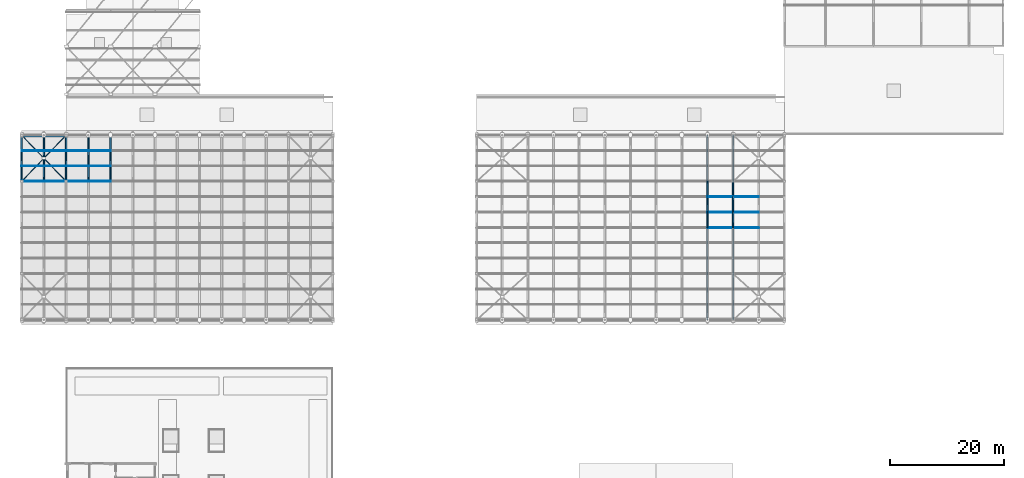
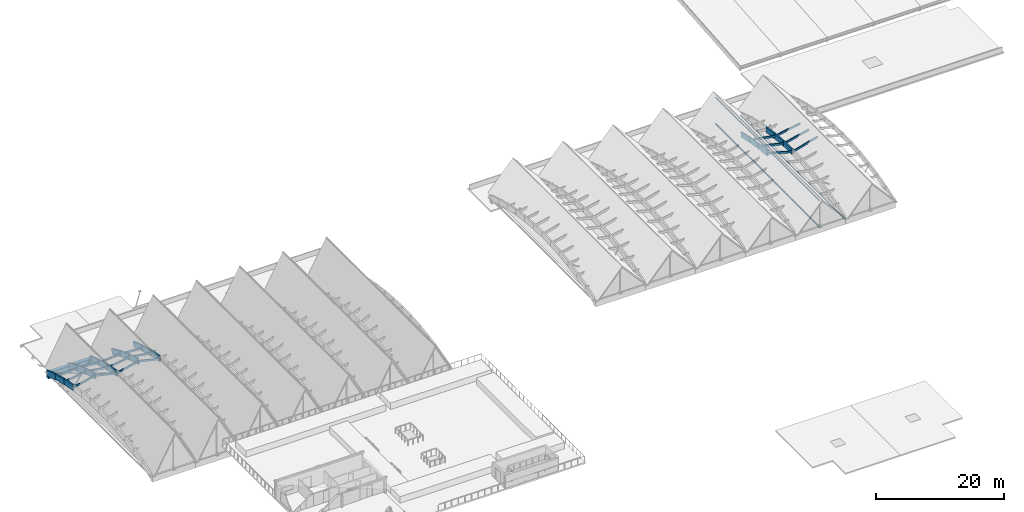
# One storey, part 17 of 39: 45 members, 1 beam.
"""IFC4 building model written with IfcOpenShell, lengths in metres."""

from ifc_helpers import new_model, si_unit, direction, frame, origin, origin_2d, place, context, subcontext, project, spatial, rectangle, hollow_circle, extrude, material, material_profile, profile_set, type_object, element, save


model = new_model("IFC4")

# Units and contexts
model_context = context("Model", 3, precision=1e-05, world=origin(), true_north=direction((0.0, 1.0)))
body_context = subcontext(model_context, "Body", "Model", "MODEL_VIEW")
ifc_project = project(units=[si_unit("LENGTHUNIT", "METRE"), si_unit("AREAUNIT", "SQUARE_METRE"), si_unit("VOLUMEUNIT", "CUBIC_METRE"), si_unit("PLANEANGLEUNIT", "RADIAN"), si_unit("MASSUNIT", "GRAM", prefix="KILO")], contexts=[model_context])

# Site, building, storey
site_placement = place(None, origin())
site = spatial("IfcSite", under=ifc_project, at=site_placement, CompositionType="ELEMENT")
building_placement = place(site_placement, origin())
building = spatial("IfcBuilding", under=site, at=building_placement, Name="Tizgana Railside Sports Hall", CompositionType="ELEMENT")
storey_placement = place(building_placement, frame((0.0, 0.0, 23.699951171875)))
storey = spatial("IfcBuildingStorey", under=building, at=storey_placement, Name="RF", CompositionType="ELEMENT", Elevation=23.699951171875)

# Beam
ifc_material_1 = material(Name="Concrete C40/50", Category="concrete")
ifc_material_profile_1 = material_profile(ifc_material_1, rectangle(XDim=0.60009765625, YDim=1.14990234375, at=origin_2d()), Name="RCB 600x1150")
ifc_profile_set_1 = profile_set([ifc_material_profile_1], Name="Concrete C40/50")
beam_type = type_object("IfcBeamType", Name="Concrete Beam RCB 600x1150", PredefinedType="BEAM", material=ifc_profile_set_1)
beam_placement = place(storey_placement, frame((0.0, 73.199951171875, -8.675048828125), z_axis=(1.0, 0.0, 0.0), x_axis=(0.0, 1.0, 0.0)))
element("IfcBeam", 1, at=beam_placement, inside=storey, type_object=beam_type, Name="RF BEM-1217", PredefinedType="BEAM", context=body_context, shape_type="SweptSolid", body=[
    extrude(rectangle(XDim=0.60009765625, YDim=1.14990234375, at=origin_2d()), origin(), (0.0, 0.0, 1.0), 7.800048828125),
])

# Members
ifc_material_2 = material(Name="Glulam GL32h", Category="wood")
ifc_material_profile_2 = material_profile(ifc_material_2, rectangle(XDim=0.260009765625, YDim=0.97998046875, at=origin_2d()), Name="GL 260x980")
ifc_profile_set_2 = profile_set([ifc_material_profile_2], Name="Glulam GL32h")
member_type_1 = type_object("IfcMemberType", Name="Glulam Arch Segment GL 260x980", PredefinedType="USERDEFINED", material=ifc_profile_set_2)
member_1_placement = place(storey_placement, frame((120.300048828125, 57.0, 1.241455078125), z_axis=(0.0, 0.994336672512, -0.106275969519), x_axis=(-1.0, 0.0, 0.0)))
element("IfcMember", 2, at=member_1_placement, inside=storey, type_object=member_type_1, Name="RF V2 Arch Chord MEM-0529", ObjectType="ARCH_SEGMENT", PredefinedType="USERDEFINED", context=body_context, shape_type="SweptSolid", body=[
    extrude(rectangle(XDim=0.260009765625, YDim=0.97998046875, at=origin_2d()), origin(), (0.0, 0.0, 1.0), 2.71533203125),
])
member_2_placement = place(storey_placement, frame((120.300048828125, 59.699951171875, 0.952880859375), z_axis=(0.0, 0.986912309377, -0.161257848182), x_axis=(-1.0, 0.0, 0.0)))
element("IfcMember", 3, at=member_2_placement, inside=storey, type_object=member_type_1, Name="RF V2 Arch Chord MEM-0530", ObjectType="ARCH_SEGMENT", PredefinedType="USERDEFINED", context=body_context, shape_type="SweptSolid", body=[
    extrude(rectangle(XDim=0.260009765625, YDim=0.97998046875, at=origin_2d()), origin(), (0.0, 0.0, 1.0), 2.73583984375),
])
member_3_placement = place(storey_placement, frame((120.300048828125, 62.39990234375, 0.51171875), z_axis=(0.0, 0.976481148201, -0.21560279963), x_axis=(-1.0, 0.0, 0.0)))
element("IfcMember", 4, at=member_3_placement, inside=storey, type_object=member_type_1, Name="RF V2 Arch Chord MEM-0531", ObjectType="ARCH_SEGMENT", PredefinedType="USERDEFINED", context=body_context, shape_type="SweptSolid", body=[
    extrude(rectangle(XDim=0.260009765625, YDim=0.97998046875, at=origin_2d()), origin(), (0.0, 0.0, 1.0), 2.76513671875),
])
member_4_placement = place(storey_placement, frame((124.800048828125, 57.0, -0.033447265625), z_axis=(0.0, 0.999602270029, -0.028201094877), x_axis=(-1.0, 0.0, 0.0)))
element("IfcMember", 5, at=member_4_placement, inside=storey, type_object=member_type_1, Name="RF V2 Arch Chord MEM-0542", ObjectType="ARCH_SEGMENT", PredefinedType="USERDEFINED", context=body_context, shape_type="SweptSolid", body=[
    extrude(rectangle(XDim=0.260009765625, YDim=0.97998046875, at=origin_2d()), origin(), (0.0, 0.0, 1.0), 2.700927734375),
])
member_5_placement = place(storey_placement, frame((124.800048828125, 59.699951171875, -0.109619140625), z_axis=(0.0, 0.996437422353, -0.084335421586), x_axis=(-1.0, 0.0, 0.0)))
element("IfcMember", 6, at=member_5_placement, inside=storey, type_object=member_type_1, Name="RF V2 Arch Chord MEM-0543", ObjectType="ARCH_SEGMENT", PredefinedType="USERDEFINED", context=body_context, shape_type="SweptSolid", body=[
    extrude(rectangle(XDim=0.260009765625, YDim=0.97998046875, at=origin_2d()), origin(), (0.0, 0.0, 1.0), 2.709716796875),
])
member_6_placement = place(storey_placement, frame((124.800048828125, 62.39990234375, -0.338134765625), z_axis=(0.0, 0.990049503072, -0.140719513456), x_axis=(-1.0, 0.0, 0.0)))
element("IfcMember", 7, at=member_6_placement, inside=storey, type_object=member_type_1, Name="RF V2 Arch Chord MEM-0544", ObjectType="ARCH_SEGMENT", PredefinedType="USERDEFINED", context=body_context, shape_type="SweptSolid", body=[
    extrude(rectangle(XDim=0.260009765625, YDim=0.97998046875, at=origin_2d()), origin(), (0.0, 0.0, 1.0), 2.727294921875),
])
ifc_material_profile_3 = material_profile(ifc_material_2, rectangle(XDim=0.280029296875, YDim=1.050048828125, at=origin_2d()), Name="GL 280x1050")
ifc_profile_set_3 = profile_set([ifc_material_profile_3], Name="Glulam GL32h")
member_type_2 = type_object("IfcMemberType", Name="Glulam Arch Segment GL 280x1050", PredefinedType="USERDEFINED", material=ifc_profile_set_3)
member_7_placement = place(storey_placement, frame((0.0, 65.10009765625, -6.1220703125), z_axis=(0.0, 0.980423512867, -0.196900318481), x_axis=(-1.0, 0.0, 0.0)))
element("IfcMember", 8, at=member_7_placement, inside=storey, type_object=member_type_2, Name="RF V1 Arch Chord MEM-0033", ObjectType="ARCH_SEGMENT", PredefinedType="USERDEFINED", context=body_context, shape_type="SweptSolid", body=[
    extrude(rectangle(XDim=0.280029296875, YDim=1.050048828125, at=origin_2d()), origin(), (0.0, 0.0, 1.0), 2.75390625),
])
member_8_placement = place(storey_placement, frame((0.0, 67.800048828125, -6.664306640625), z_axis=(0.0, 0.96740233444, -0.253244394448), x_axis=(-1.0, 0.0, 0.0)))
element("IfcMember", 9, at=member_8_placement, inside=storey, type_object=member_type_2, Name="RF V1 Arch Chord MEM-0034", ObjectType="ARCH_SEGMENT", PredefinedType="USERDEFINED", context=body_context, shape_type="SweptSolid", body=[
    extrude(rectangle(XDim=0.280029296875, YDim=1.050048828125, at=origin_2d()), origin(), (0.0, 0.0, 1.0), 2.791015625),
])
member_9_placement = place(storey_placement, frame((0.0, 70.5, -7.37109375), z_axis=(0.0, 0.95088673489, -0.309539040203), x_axis=(-1.0, 0.0, 0.0)))
element("IfcMember", 10, at=member_9_placement, inside=storey, type_object=member_type_2, Name="RF V1 Arch Chord MEM-0035", ObjectType="ARCH_SEGMENT", PredefinedType="USERDEFINED", context=body_context, shape_type="SweptSolid", body=[
    extrude(rectangle(XDim=0.280029296875, YDim=1.050048828125, at=origin_2d()), origin(), (0.0, 0.0, 1.0), 2.83935546875),
])
member_10_placement = place(storey_placement, frame((3.89990234375, 65.10009765625, -5.221923828125), z_axis=(0.0, 0.954601237081, -0.297886686786), x_axis=(-1.0, 0.0, 0.0)))
element("IfcMember", 11, at=member_10_placement, inside=storey, type_object=member_type_2, Name="RF V1 Arch Chord MEM-0046", ObjectType="ARCH_SEGMENT", PredefinedType="USERDEFINED", context=body_context, shape_type="SweptSolid", body=[
    extrude(rectangle(XDim=0.280029296875, YDim=1.050048828125, at=origin_2d()), origin(), (0.0, 0.0, 1.0), 2.828369140625),
])
member_11_placement = place(storey_placement, frame((3.89990234375, 67.800048828125, -6.064453125), z_axis=(0.0, 0.936999478025, -0.349330757564), x_axis=(-1.0, 0.0, 0.0)))
element("IfcMember", 12, at=member_11_placement, inside=storey, type_object=member_type_2, Name="RF V1 Arch Chord MEM-0047", ObjectType="ARCH_SEGMENT", PredefinedType="USERDEFINED", context=body_context, shape_type="SweptSolid", body=[
    extrude(rectangle(XDim=0.280029296875, YDim=1.050048828125, at=origin_2d()), origin(), (0.0, 0.0, 1.0), 2.881591796875),
])
member_12_placement = place(storey_placement, frame((3.89990234375, 70.5, -7.071044921875), z_axis=(0.0, 0.91644048833, -0.400171002635), x_axis=(-1.0, 0.0, 0.0)))
element("IfcMember", 13, at=member_12_placement, inside=storey, type_object=member_type_2, Name="RF V1 Arch Chord MEM-0048", ObjectType="ARCH_SEGMENT", PredefinedType="USERDEFINED", context=body_context, shape_type="SweptSolid", body=[
    extrude(rectangle(XDim=0.280029296875, YDim=1.050048828125, at=origin_2d()), origin(), (0.0, 0.0, 1.0), 2.946044921875),
])
member_13_placement = place(storey_placement, frame((7.800048828125, 65.10009765625, -6.1220703125), z_axis=(0.0, 0.980423512867, -0.196900318481), x_axis=(-1.0, 0.0, 0.0)))
element("IfcMember", 14, at=member_13_placement, inside=storey, type_object=member_type_2, Name="RF V1 Arch Chord MEM-0059", ObjectType="ARCH_SEGMENT", PredefinedType="USERDEFINED", context=body_context, shape_type="SweptSolid", body=[
    extrude(rectangle(XDim=0.280029296875, YDim=1.050048828125, at=origin_2d()), origin(), (0.0, 0.0, 1.0), 2.75390625),
])
member_14_placement = place(storey_placement, frame((7.800048828125, 67.800048828125, -6.664306640625), z_axis=(0.0, 0.96740233444, -0.253244394448), x_axis=(-1.0, 0.0, 0.0)))
element("IfcMember", 15, at=member_14_placement, inside=storey, type_object=member_type_2, Name="RF V1 Arch Chord MEM-0060", ObjectType="ARCH_SEGMENT", PredefinedType="USERDEFINED", context=body_context, shape_type="SweptSolid", body=[
    extrude(rectangle(XDim=0.280029296875, YDim=1.050048828125, at=origin_2d()), origin(), (0.0, 0.0, 1.0), 2.791015625),
])
member_15_placement = place(storey_placement, frame((7.800048828125, 70.5, -7.37109375), z_axis=(0.0, 0.95088673489, -0.309539040203), x_axis=(-1.0, 0.0, 0.0)))
element("IfcMember", 16, at=member_15_placement, inside=storey, type_object=member_type_2, Name="RF V1 Arch Chord MEM-0061", ObjectType="ARCH_SEGMENT", PredefinedType="USERDEFINED", context=body_context, shape_type="SweptSolid", body=[
    extrude(rectangle(XDim=0.280029296875, YDim=1.050048828125, at=origin_2d()), origin(), (0.0, 0.0, 1.0), 2.83935546875),
])
member_16_placement = place(storey_placement, frame((11.699951171875, 65.10009765625, -5.221923828125), z_axis=(0.0, 0.954601237081, -0.297886686786), x_axis=(-1.0, 0.0, 0.0)))
element("IfcMember", 17, at=member_16_placement, inside=storey, type_object=member_type_2, Name="RF V1 Arch Chord MEM-0072", ObjectType="ARCH_SEGMENT", PredefinedType="USERDEFINED", context=body_context, shape_type="SweptSolid", body=[
    extrude(rectangle(XDim=0.280029296875, YDim=1.050048828125, at=origin_2d()), origin(), (0.0, 0.0, 1.0), 2.828369140625),
])
member_17_placement = place(storey_placement, frame((11.699951171875, 67.800048828125, -6.064453125), z_axis=(0.0, 0.936999478025, -0.349330757564), x_axis=(-1.0, 0.0, 0.0)))
element("IfcMember", 18, at=member_17_placement, inside=storey, type_object=member_type_2, Name="RF V1 Arch Chord MEM-0073", ObjectType="ARCH_SEGMENT", PredefinedType="USERDEFINED", context=body_context, shape_type="SweptSolid", body=[
    extrude(rectangle(XDim=0.280029296875, YDim=1.050048828125, at=origin_2d()), origin(), (0.0, 0.0, 1.0), 2.881591796875),
])
member_18_placement = place(storey_placement, frame((11.699951171875, 70.5, -7.071044921875), z_axis=(0.0, 0.91644048833, -0.400171002635), x_axis=(-1.0, 0.0, 0.0)))
element("IfcMember", 19, at=member_18_placement, inside=storey, type_object=member_type_2, Name="RF V1 Arch Chord MEM-0074", ObjectType="ARCH_SEGMENT", PredefinedType="USERDEFINED", context=body_context, shape_type="SweptSolid", body=[
    extrude(rectangle(XDim=0.280029296875, YDim=1.050048828125, at=origin_2d()), origin(), (0.0, 0.0, 1.0), 2.946044921875),
])
member_19_placement = place(storey_placement, frame((15.60009765625, 65.10009765625, -6.1220703125), z_axis=(0.0, 0.980423512867, -0.196900318481), x_axis=(-1.0, 0.0, 0.0)))
element("IfcMember", 20, at=member_19_placement, inside=storey, type_object=member_type_2, Name="RF V1 Arch Chord MEM-0085", ObjectType="ARCH_SEGMENT", PredefinedType="USERDEFINED", context=body_context, shape_type="SweptSolid", body=[
    extrude(rectangle(XDim=0.280029296875, YDim=1.050048828125, at=origin_2d()), origin(), (0.0, 0.0, 1.0), 2.75390625),
])
member_20_placement = place(storey_placement, frame((15.60009765625, 67.800048828125, -6.664306640625), z_axis=(0.0, 0.96740233444, -0.253244394448), x_axis=(-1.0, 0.0, 0.0)))
element("IfcMember", 21, at=member_20_placement, inside=storey, type_object=member_type_2, Name="RF V1 Arch Chord MEM-0086", ObjectType="ARCH_SEGMENT", PredefinedType="USERDEFINED", context=body_context, shape_type="SweptSolid", body=[
    extrude(rectangle(XDim=0.280029296875, YDim=1.050048828125, at=origin_2d()), origin(), (0.0, 0.0, 1.0), 2.791015625),
])
member_21_placement = place(storey_placement, frame((15.60009765625, 70.5, -7.37109375), z_axis=(0.0, 0.95088673489, -0.309539040203), x_axis=(-1.0, 0.0, 0.0)))
element("IfcMember", 22, at=member_21_placement, inside=storey, type_object=member_type_2, Name="RF V1 Arch Chord MEM-0087", ObjectType="ARCH_SEGMENT", PredefinedType="USERDEFINED", context=body_context, shape_type="SweptSolid", body=[
    extrude(rectangle(XDim=0.280029296875, YDim=1.050048828125, at=origin_2d()), origin(), (0.0, 0.0, 1.0), 2.83935546875),
])
ifc_material_3 = material(Name="Glulam GL28h", Category="wood")
ifc_material_profile_4 = material_profile(ifc_material_3, rectangle(XDim=0.159912109375, YDim=0.360107421875, at=origin_2d()), Name="GL 160x360")
ifc_profile_set_4 = profile_set([ifc_material_profile_4], Name="Glulam GL28h")
member_type_3 = type_object("IfcMemberType", Name="Glulam Roof Purlin GL 160x360", PredefinedType="PURLIN", material=ifc_profile_set_4)
member_22_placement = place(storey_placement, frame((0.0, 65.10009765625, -6.1220703125), z_axis=(0.974381942365, 0.0, 0.224899600695), x_axis=(0.0, 1.0, 0.0)))
element("IfcMember", 23, at=member_22_placement, inside=storey, type_object=member_type_3, Name="RF V1 Purlin MEM-0237", PredefinedType="PURLIN", context=body_context, shape_type="SweptSolid", body=[
    extrude(rectangle(XDim=0.159912109375, YDim=0.360107421875, at=origin_2d()), origin(), (0.0, 0.0, 1.0), 4.00244140625),
])
member_23_placement = place(storey_placement, frame((3.89990234375, 65.10009765625, -5.221923828125), z_axis=(0.974385027358, 0.0, -0.224886234483), x_axis=(0.0, 1.0, 0.0)))
element("IfcMember", 24, at=member_23_placement, inside=storey, type_object=member_type_3, Name="RF V1 Purlin MEM-0238", PredefinedType="PURLIN", context=body_context, shape_type="SweptSolid", body=[
    extrude(rectangle(XDim=0.159912109375, YDim=0.360107421875, at=origin_2d()), origin(), (0.0, 0.0, 1.0), 4.002685546875),
])
member_24_placement = place(storey_placement, frame((0.0, 67.800048828125, -6.664306640625), z_axis=(0.988376704266, 0.0, 0.152024637685), x_axis=(0.0, 1.0, 0.0)))
element("IfcMember", 25, at=member_24_placement, inside=storey, type_object=member_type_3, Name="RF V1 Purlin MEM-0239", PredefinedType="PURLIN", context=body_context, shape_type="SweptSolid", body=[
    extrude(rectangle(XDim=0.159912109375, YDim=0.360107421875, at=origin_2d()), origin(), (0.0, 0.0, 1.0), 3.94580078125),
])
member_25_placement = place(storey_placement, frame((3.89990234375, 67.800048828125, -6.064453125), z_axis=(0.988378134138, 0.0, -0.152015341194), x_axis=(0.0, 1.0, 0.0)))
element("IfcMember", 26, at=member_25_placement, inside=storey, type_object=member_type_3, Name="RF V1 Purlin MEM-0240", PredefinedType="PURLIN", context=body_context, shape_type="SweptSolid", body=[
    extrude(rectangle(XDim=0.159912109375, YDim=0.360107421875, at=origin_2d()), origin(), (0.0, 0.0, 1.0), 3.946044921875),
])
member_26_placement = place(storey_placement, frame((0.0, 70.5, -7.37109375), z_axis=(0.997053383918, 0.0, 0.076710818132), x_axis=(0.0, 1.0, 0.0)))
element("IfcMember", 27, at=member_26_placement, inside=storey, type_object=member_type_3, Name="RF V1 Purlin MEM-0241", PredefinedType="PURLIN", context=body_context, shape_type="SweptSolid", body=[
    extrude(rectangle(XDim=0.159912109375, YDim=0.360107421875, at=origin_2d()), origin(), (0.0, 0.0, 1.0), 3.911376953125),
])
member_27_placement = place(storey_placement, frame((3.89990234375, 70.5, -7.071044921875), z_axis=(0.997053751181, 0.0, -0.076706044457), x_axis=(0.0, 1.0, 0.0)))
element("IfcMember", 28, at=member_27_placement, inside=storey, type_object=member_type_3, Name="RF V1 Purlin MEM-0242", PredefinedType="PURLIN", context=body_context, shape_type="SweptSolid", body=[
    extrude(rectangle(XDim=0.159912109375, YDim=0.360107421875, at=origin_2d()), origin(), (0.0, 0.0, 1.0), 3.91162109375),
])
member_28_placement = place(storey_placement, frame((7.800048828125, 65.10009765625, -6.1220703125), z_axis=(0.974381942365, 0.0, 0.224899600695), x_axis=(0.0, 1.0, 0.0)))
element("IfcMember", 29, at=member_28_placement, inside=storey, type_object=member_type_3, Name="RF V1 Purlin MEM-0268", PredefinedType="PURLIN", context=body_context, shape_type="SweptSolid", body=[
    extrude(rectangle(XDim=0.159912109375, YDim=0.360107421875, at=origin_2d()), origin(), (0.0, 0.0, 1.0), 4.00244140625),
])
member_29_placement = place(storey_placement, frame((11.699951171875, 65.10009765625, -5.221923828125), z_axis=(0.974385027358, 0.0, -0.224886234483), x_axis=(0.0, 1.0, 0.0)))
element("IfcMember", 30, at=member_29_placement, inside=storey, type_object=member_type_3, Name="RF V1 Purlin MEM-0269", PredefinedType="PURLIN", context=body_context, shape_type="SweptSolid", body=[
    extrude(rectangle(XDim=0.159912109375, YDim=0.360107421875, at=origin_2d()), origin(), (0.0, 0.0, 1.0), 4.002685546875),
])
member_30_placement = place(storey_placement, frame((7.800048828125, 67.800048828125, -6.664306640625), z_axis=(0.988376704266, 0.0, 0.152024637685), x_axis=(0.0, 1.0, 0.0)))
element("IfcMember", 31, at=member_30_placement, inside=storey, type_object=member_type_3, Name="RF V1 Purlin MEM-0270", PredefinedType="PURLIN", context=body_context, shape_type="SweptSolid", body=[
    extrude(rectangle(XDim=0.159912109375, YDim=0.360107421875, at=origin_2d()), origin(), (0.0, 0.0, 1.0), 3.94580078125),
])
member_31_placement = place(storey_placement, frame((11.699951171875, 67.800048828125, -6.064453125), z_axis=(0.988378134138, 0.0, -0.152015341194), x_axis=(0.0, 1.0, 0.0)))
element("IfcMember", 32, at=member_31_placement, inside=storey, type_object=member_type_3, Name="RF V1 Purlin MEM-0271", PredefinedType="PURLIN", context=body_context, shape_type="SweptSolid", body=[
    extrude(rectangle(XDim=0.159912109375, YDim=0.360107421875, at=origin_2d()), origin(), (0.0, 0.0, 1.0), 3.946044921875),
])
member_32_placement = place(storey_placement, frame((7.800048828125, 70.5, -7.37109375), z_axis=(0.997053383918, 0.0, 0.076710818132), x_axis=(0.0, 1.0, 0.0)))
element("IfcMember", 33, at=member_32_placement, inside=storey, type_object=member_type_3, Name="RF V1 Purlin MEM-0272", PredefinedType="PURLIN", context=body_context, shape_type="SweptSolid", body=[
    extrude(rectangle(XDim=0.159912109375, YDim=0.360107421875, at=origin_2d()), origin(), (0.0, 0.0, 1.0), 3.911376953125),
])
member_33_placement = place(storey_placement, frame((11.699951171875, 70.5, -7.071044921875), z_axis=(0.997053751181, 0.0, -0.076706044457), x_axis=(0.0, 1.0, 0.0)))
element("IfcMember", 34, at=member_33_placement, inside=storey, type_object=member_type_3, Name="RF V1 Purlin MEM-0273", PredefinedType="PURLIN", context=body_context, shape_type="SweptSolid", body=[
    extrude(rectangle(XDim=0.159912109375, YDim=0.360107421875, at=origin_2d()), origin(), (0.0, 0.0, 1.0), 3.91162109375),
])
member_34_placement = place(storey_placement, frame((120.300048828125, 57.0, 1.241455078125), z_axis=(0.962132202387, 0.0, -0.272583244405), x_axis=(0.0, 1.0, 0.0)))
element("IfcMember", 35, at=member_34_placement, inside=storey, type_object=member_type_3, Name="RF V2 Purlin MEM-0694", PredefinedType="PURLIN", context=body_context, shape_type="SweptSolid", body=[
    extrude(rectangle(XDim=0.159912109375, YDim=0.360107421875, at=origin_2d()), origin(), (0.0, 0.0, 1.0), 4.677001953125),
])
member_35_placement = place(storey_placement, frame((120.300048828125, 59.699951171875, 0.952880859375), z_axis=(0.97323960179, 0.0, -0.229792683756), x_axis=(0.0, 1.0, 0.0)))
element("IfcMember", 36, at=member_35_placement, inside=storey, type_object=member_type_3, Name="RF V2 Purlin MEM-0696", PredefinedType="PURLIN", context=body_context, shape_type="SweptSolid", body=[
    extrude(rectangle(XDim=0.159912109375, YDim=0.360107421875, at=origin_2d()), origin(), (0.0, 0.0, 1.0), 4.623779296875),
])
member_36_placement = place(storey_placement, frame((120.300048828125, 62.39990234375, 0.51171875), z_axis=(0.982629934955, 0.0, -0.185575889951), x_axis=(0.0, 1.0, 0.0)))
element("IfcMember", 37, at=member_36_placement, inside=storey, type_object=member_type_3, Name="RF V2 Purlin MEM-0698", PredefinedType="PURLIN", context=body_context, shape_type="SweptSolid", body=[
    extrude(rectangle(XDim=0.159912109375, YDim=0.360107421875, at=origin_2d()), origin(), (0.0, 0.0, 1.0), 4.57958984375),
])
member_37_placement = place(storey_placement, frame((124.800048828125, 57.0, -0.033447265625), z_axis=(0.962132202387, 0.0, 0.272583244405), x_axis=(0.0, 1.0, 0.0)))
element("IfcMember", 38, at=member_37_placement, inside=storey, type_object=member_type_3, Name="RF V2 Purlin MEM-0718", PredefinedType="PURLIN", context=body_context, shape_type="SweptSolid", body=[
    extrude(rectangle(XDim=0.159912109375, YDim=0.360107421875, at=origin_2d()), origin(), (0.0, 0.0, 1.0), 4.677001953125),
])
member_38_placement = place(storey_placement, frame((124.800048828125, 59.699951171875, -0.109619140625), z_axis=(0.97323960179, 0.0, 0.229792683756), x_axis=(0.0, 1.0, 0.0)))
element("IfcMember", 39, at=member_38_placement, inside=storey, type_object=member_type_3, Name="RF V2 Purlin MEM-0720", PredefinedType="PURLIN", context=body_context, shape_type="SweptSolid", body=[
    extrude(rectangle(XDim=0.159912109375, YDim=0.360107421875, at=origin_2d()), origin(), (0.0, 0.0, 1.0), 4.623779296875),
])
member_39_placement = place(storey_placement, frame((124.800048828125, 62.39990234375, -0.338134765625), z_axis=(0.982629934955, 0.0, 0.185575889951), x_axis=(0.0, 1.0, 0.0)))
element("IfcMember", 40, at=member_39_placement, inside=storey, type_object=member_type_3, Name="RF V2 Purlin MEM-0722", PredefinedType="PURLIN", context=body_context, shape_type="SweptSolid", body=[
    extrude(rectangle(XDim=0.159912109375, YDim=0.360107421875, at=origin_2d()), origin(), (0.0, 0.0, 1.0), 4.57958984375),
])
ifc_material_4 = material(Name="Steel S355J2", Category="steel")
ifc_material_profile_5 = material_profile(ifc_material_4, hollow_circle(Radius=0.084228515625, WallThickness=0.008056640625, at=origin_2d()), Name="CHS 168.3x8")
ifc_profile_set_5 = profile_set([ifc_material_profile_5], Name="Steel S355J2")
member_type_4 = type_object("IfcMemberType", Name="Steel Brace CHS 168.3x8", PredefinedType="BRACE", material=ifc_profile_set_5)
member_40_placement = place(storey_placement, frame((0.0, 65.10009765625, -6.1220703125), z_axis=(0.68155463395, 0.707751043555, -0.185934776973), x_axis=(-0.720311776211, 0.69365044875, 0.0)))
element("IfcMember", 41, at=member_40_placement, inside=storey, type_object=member_type_4, Name="RF V1 Continuous Wind Brace MEM-0246", PredefinedType="BRACE", context=body_context, shape_type="SweptSolid", body=[
    extrude(hollow_circle(Radius=0.084228515625, WallThickness=0.008056640625, at=origin_2d()), origin(), (0.0, 0.0, 1.0), 11.444580078125),
])
for number, where, z_axis, x_axis, name in (
    (42, (7.800048828125, 65.10009765625, -6.1220703125), (-0.681578125604, 0.707732111687, -0.185920727152), (-0.720290559395, -0.693672480387, 0.0), "RF V1 Split Wind Brace MEM-0247"),
    (43, (3.8046875, 69.2490234375, -7.2119140625), (-0.681551486662, 0.70774818459, -0.185957194641), (-0.720311976639, -0.693650240619, 0.0), "RF V1 Split Wind Brace MEM-0248"),
):
    element("IfcMember", number, at=place(storey_placement, frame(where, z_axis=z_axis, x_axis=x_axis)), inside=storey, type_object=member_type_4, Name=name, PredefinedType="BRACE", context=body_context, shape_type="SweptSolid", body=[
        extrude(hollow_circle(Radius=0.084228515625, WallThickness=0.008056640625, at=origin_2d()), origin(), (0.0, 0.0, 1.0), 5.582275390625),
    ])
ifc_material_profile_6 = material_profile(ifc_material_4, hollow_circle(Radius=0.109619140625, WallThickness=0.010009765625, at=origin_2d()), Name="CHS 219.1x10")
ifc_profile_set_6 = profile_set([ifc_material_profile_6], Name="Steel S355J2")
member_type_5 = type_object("IfcMemberType", Name="Steel Chord CHS 219.1x10", PredefinedType="CHORD", material=ifc_profile_set_6)
member_41_placement = place(storey_placement, frame((120.300048828125, 40.800048828125, 2.050048828125), z_axis=(0.0, 1.0, 0.0), x_axis=(-1.0, 0.0, 0.0)))
element("IfcMember", 44, at=member_41_placement, inside=storey, type_object=member_type_5, Name="RF V2 Ridge Chord MEM-0682", PredefinedType="CHORD", context=body_context, shape_type="SweptSolid", body=[
    extrude(hollow_circle(Radius=0.109619140625, WallThickness=0.010009765625, at=origin_2d()), origin(), (0.0, 0.0, 1.0), 32.39990234375),
])
ifc_material_profile_7 = material_profile(ifc_material_4, hollow_circle(Radius=0.136474609375, WallThickness=0.012451171875, at=origin_2d()), Name="CHS 273x12.5")
ifc_profile_set_7 = profile_set([ifc_material_profile_7], Name="Steel S355J2")
member_type_6 = type_object("IfcMemberType", Name="Steel Chord CHS 273x12.5", PredefinedType="CHORD", material=ifc_profile_set_7)
for number, where, z_axis, x_axis, name in (
    (45, (120.300048828125, 40.800048828125, -2.949951171875), (0.0, 1.0, 0.0), (-1.0, 0.0, 0.0), "RF V2 Tie Chord MEM-0522"),
    (46, (124.800048828125, 40.800048828125, -2.949951171875), (0.0, 1.0, 0.0), (-1.0, 0.0, 0.0), "RF V2 Tie Chord MEM-0535"),
):
    element("IfcMember", number, at=place(storey_placement, frame(where, z_axis=z_axis, x_axis=x_axis)), inside=storey, type_object=member_type_6, Name=name, PredefinedType="CHORD", context=body_context, shape_type="SweptSolid", body=[
        extrude(hollow_circle(Radius=0.136474609375, WallThickness=0.012451171875, at=origin_2d()), origin(), (0.0, 0.0, 1.0), 32.39990234375),
    ])

save(model, "model.ifc")
